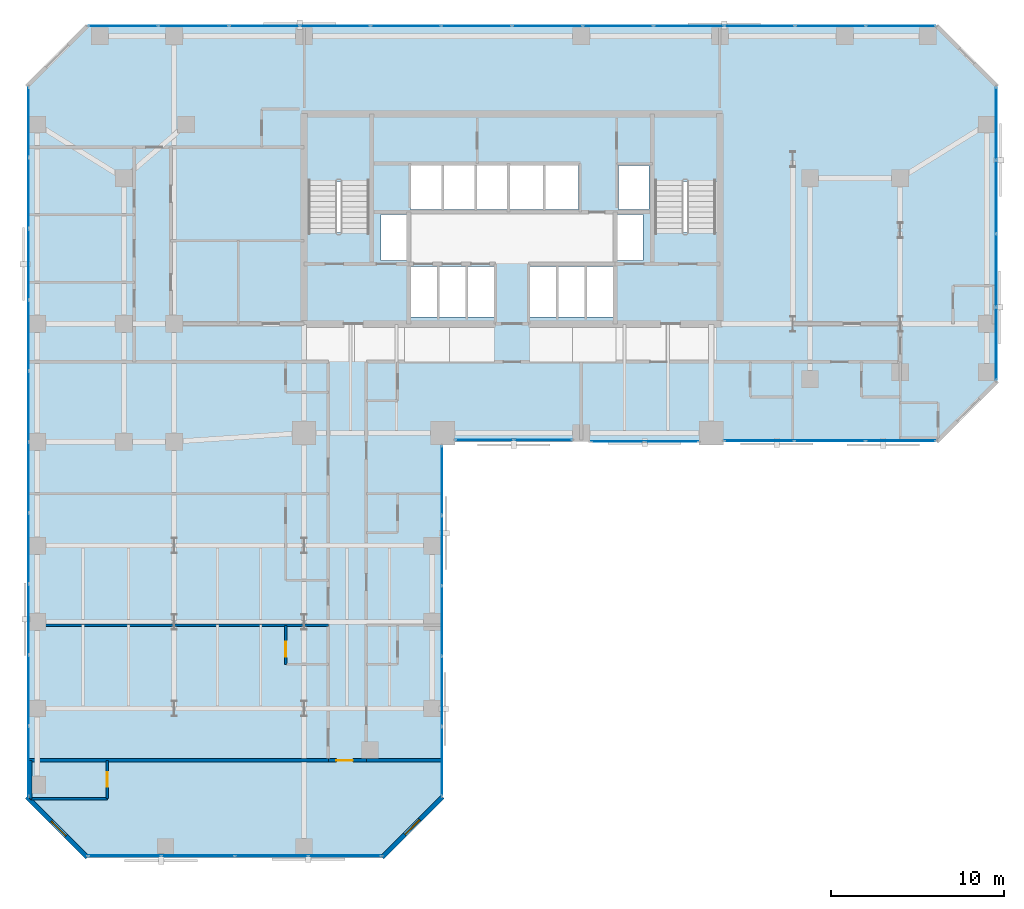
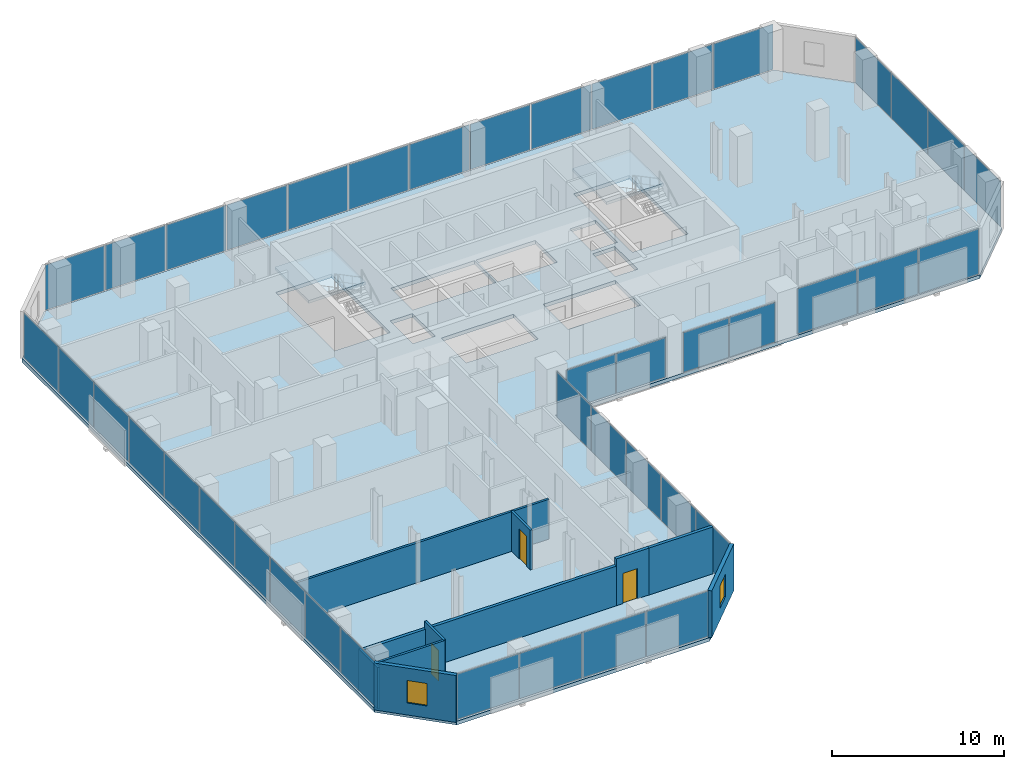
# One storey, part 26 of 31: 42 plates, 10 walls, 3 doors, 3 slabs, 2 windows, 5 openings, 10 elements without a shape of their own.
"""IFC4 building model written with IfcOpenShell, lengths in metres."""

import ifcopenshell
import ifcopenshell.guid

model = None  # the IFC model being written
_history = None  # IfcOwnerHistory: only IFC2X3 demands one
_inside = {}  # id of a spatial element -> (the spatial element, [elements in it])
_under = {}  # id of a project, library or spatial element -> (it, [spatial elements below it])
_declared = {}  # id of a project -> (the project, [libraries it declares])
_typed = {}  # id of a type object -> (the type object, [elements of that type])
_made_of = {}  # id of a material, layer set ... -> (it, [elements and type objects made of it])


def new_model(schema):
    """Start an empty IFC model of exactly this schema.

    Asked for "IFC4X3", IfcOpenShell would pick the latest addendum, in which some entities
    have other attributes; the version numbers below select the first issue.
    IFC2X3 requires an IfcOwnerHistory on every rooted entity: one is made here for all.
    """
    global model, _history
    if schema == "IFC4X3":
        model = ifcopenshell.file(schema_version=(4, 3, 0, 0))
    else:
        model = ifcopenshell.file(schema=schema)
    _inside.clear()
    _under.clear()
    _declared.clear()
    _typed.clear()
    _made_of.clear()
    _history = None
    if model.schema == "IFC2X3":
        org = make("IfcOrganization", Name="unknown")
        user = make(
            "IfcPersonAndOrganization",
            ThePerson=make("IfcPerson", FamilyName="unknown"),
            TheOrganization=org,
        )
        app = make(
            "IfcApplication",
            ApplicationDeveloper=org,
            Version="unknown",
            ApplicationFullName="unknown",
            ApplicationIdentifier="unknown",
        )
        _history = make(
            "IfcOwnerHistory",
            OwningUser=user,
            OwningApplication=app,
            ChangeAction="ADDED",
            CreationDate=0,
        )
    return model


def make(cls, **values):
    """One entity of the class cls with the attributes given. An attribute that is None is left unset."""
    return model.create_entity(
        cls, **{name: value for name, value in values.items() if value is not None}
    )


def rooted(cls, **values):
    """An entity with a GlobalId (a new one), such as an element, a storey or a relation."""
    return make(cls, GlobalId=ifcopenshell.guid.new(), OwnerHistory=_history, **values)


def si_unit(unit_type, name, prefix=None):
    """IfcSIUnit, for example si_unit("LENGTHUNIT", "METRE", prefix="MILLI")."""
    return make("IfcSIUnit", UnitType=unit_type, Prefix=prefix, Name=name)


def assignment(units):
    """IfcUnitAssignment: the units of a project."""
    return None if units is None else make("IfcUnitAssignment", Units=units)


def point(xyz):
    """IfcCartesianPoint."""
    return None if xyz is None else make("IfcCartesianPoint", Coordinates=xyz)


def direction(xyz):
    """IfcDirection."""
    return None if xyz is None else make("IfcDirection", DirectionRatios=xyz)


def frame(location, z_axis=None, x_axis=None):
    """IfcAxis2Placement3D, a coordinate frame: its origin and axes. An axis left out is left unset."""
    return make(
        "IfcAxis2Placement3D",
        Location=point(location),
        Axis=direction(z_axis),
        RefDirection=direction(x_axis),
    )


def frame_2d(location, x_axis=None):
    """IfcAxis2Placement2D, a coordinate frame in the plane: its origin and x axis."""
    return make(
        "IfcAxis2Placement2D", Location=point(location), RefDirection=direction(x_axis)
    )


def origin():
    """The frame at (0, 0, 0) with its axes left unset."""
    return frame((0.0, 0.0, 0.0))


def origin_2d():
    """The frame at (0, 0) in the plane with its x axis left unset."""
    return frame_2d((0.0, 0.0))


def place(relative_to, where):
    """IfcLocalPlacement: puts the frame where relative to a parent placement (None: the world)."""
    return make(
        "IfcLocalPlacement", PlacementRelTo=relative_to, RelativePlacement=where
    )


def context(
    kind, dimensions, precision=None, world=None, true_north=None, identifier=None
):
    """IfcGeometricRepresentationContext, for example the 3D "Model" context."""
    return make(
        "IfcGeometricRepresentationContext",
        ContextIdentifier=identifier,
        ContextType=kind,
        CoordinateSpaceDimension=dimensions,
        Precision=precision,
        WorldCoordinateSystem=world,
        TrueNorth=true_north,
    )


def subcontext(parent, identifier, kind, view, scale=None):
    """IfcGeometricRepresentationSubContext, for example "Body" below "Model"."""
    return make(
        "IfcGeometricRepresentationSubContext",
        ContextIdentifier=identifier,
        ContextType=kind,
        ParentContext=parent,
        TargetScale=scale,
        TargetView=view,
    )


def project(units=None, contexts=None):
    """IfcProject with its units and contexts."""
    return rooted(
        "IfcProject",
        Name="project",
        RepresentationContexts=contexts,
        UnitsInContext=assignment(units),
    )


def spatial(cls, under=None, at=None, **own):
    """A site, building, storey or space (cls), placed at a placement, below another one or the project."""
    s = rooted(cls, ObjectPlacement=at, **own)
    if under is not None:
        _under.setdefault(under.id(), (under, []))[1].append(s)
    return s


def polyline(points):
    """IfcPolyline through the points."""
    return make("IfcPolyline", Points=[point(p) for p in points])


def profile(cls, at=None, kind="AREA", **sizes):
    """A parametric profile (cls). Its sizes go by their IFC names, for example OverallWidth=200.0."""
    return make(cls, ProfileType=kind, Position=at, **sizes)


def rectangle(**sizes):
    """IfcRectangleProfileDef."""
    return profile("IfcRectangleProfileDef", **sizes)


def outline(outer, holes=None, kind="AREA"):
    """IfcArbitraryClosedProfileDef: a profile drawn as a closed curve; with holes, ...WithVoids."""
    if holes is None:
        return make("IfcArbitraryClosedProfileDef", ProfileType=kind, OuterCurve=outer)
    return make(
        "IfcArbitraryProfileDefWithVoids",
        ProfileType=kind,
        OuterCurve=outer,
        InnerCurves=holes,
    )


def extrude(swept, where, along, depth):
    """IfcExtrudedAreaSolid: the profile swept, set in the frame where, extruded along a direction by depth."""
    return make(
        "IfcExtrudedAreaSolid",
        SweptArea=swept,
        Position=where,
        ExtrudedDirection=direction(along),
        Depth=depth,
    )


def shape(context_of_items, identifier, shape_type, items):
    """IfcShapeRepresentation: the items that make up one representation, for example the "Body"."""
    return make(
        "IfcShapeRepresentation",
        ContextOfItems=context_of_items,
        RepresentationIdentifier=identifier,
        RepresentationType=shape_type,
        Items=items,
    )


def material(Name=None, Category=None):
    """IfcMaterial."""
    return make("IfcMaterial", Name=Name, Category=Category)


def layer(
    of_material, thickness, ventilated=None, Name=None, Category=None, Priority=None
):
    """IfcMaterialLayer: one layer of a wall or slab, of a material (None: an air gap)."""
    return make(
        "IfcMaterialLayer",
        Material=of_material,
        LayerThickness=thickness,
        IsVentilated=ventilated,
        Name=Name,
        Category=Category,
        Priority=Priority,
    )


def layer_set(layers, Name=None):
    """IfcMaterialLayerSet."""
    return make("IfcMaterialLayerSet", MaterialLayers=layers, LayerSetName=Name)


def made_of(thing, what):
    """Note that an element or type object is made of a material, layer set ...; save() writes the relation."""
    if what is not None:
        _made_of.setdefault(what.id(), (what, []))[1].append(thing)
    return thing


def type_object(cls, material=None, **own):
    """A type object (cls), such as IfcWallType, which elements share."""
    return made_of(rooted(cls, **own), material)


def element(
    cls,
    number,
    at=None,
    inside=None,
    cuts=None,
    type_object=None,
    material=None,
    context=None,
    identifier="Body",
    shape_type=None,
    held_by="IfcProductDefinitionShape",
    body=None,
    shapes=None,
    **own,
):
    """One element of the class cls, such as IfcWall. Its Tag is "e" and its number.

    at: its placement. inside: the storey or other place that contains it. cuts: it is an
    opening in that element (IfcRelVoidsElement). A single representation is given by context,
    identifier, shape_type and body (its items); several are given by shapes. held_by: the class
    of the entity that holds the representations. save() writes the other relations.
    """
    e = rooted(cls, Tag="e%d" % number, ObjectPlacement=at, **own)
    if body is not None:
        shapes = [shape(context, identifier, shape_type, body)]
    if shapes is not None:
        e.Representation = make(held_by, Representations=shapes)
    if inside is not None:
        _inside.setdefault(inside.id(), (inside, []))[1].append(e)
    if cuts is not None:
        rooted(
            "IfcRelVoidsElement", RelatingBuildingElement=cuts, RelatedOpeningElement=e
        )
    if type_object is not None:
        _typed.setdefault(type_object.id(), (type_object, []))[1].append(e)
    return made_of(e, material)


def fill(opening, filler):
    """IfcRelFillsElement: the door or window that sits in an opening."""
    return rooted(
        "IfcRelFillsElement",
        RelatingOpeningElement=opening,
        RelatedBuildingElement=filler,
    )


def aggregate(whole, parts):
    """IfcRelAggregates: a whole, such as a stair, and the parts it consists of."""
    return rooted("IfcRelAggregates", RelatingObject=whole, RelatedObjects=parts)


def save(model, path):
    """Write the relations noted so far, then the file.

    IfcRelAggregates (storeys below a building ...), IfcRelContainedInSpatialStructure (elements
    in a storey), IfcRelDefinesByType, IfcRelAssociatesMaterial and IfcRelDeclares: one each for
    every whole, place, type object, material and project.
    """
    for whole, parts in _under.values():
        aggregate(whole, parts)
    for where, things in _inside.values():
        rooted(
            "IfcRelContainedInSpatialStructure",
            RelatedElements=things,
            RelatingStructure=where,
        )
    for kind, things in _typed.values():
        rooted("IfcRelDefinesByType", RelatedObjects=things, RelatingType=kind)
    for what, things in _made_of.values():
        rooted("IfcRelAssociatesMaterial", RelatedObjects=things, RelatingMaterial=what)
    for by, libraries in _declared.values():
        rooted("IfcRelDeclares", RelatingContext=by, RelatedDefinitions=libraries)
    model.write(path)


model = new_model("IFC4")

# Units and contexts
model_context = context("Model", 3, precision=1e-05, world=origin(), true_north=direction((0.0, 1.0)))
body_context = subcontext(model_context, "Body", "Model", "MODEL_VIEW")
ifc_project = project(units=[si_unit("LENGTHUNIT", "METRE"), si_unit("AREAUNIT", "SQUARE_METRE"), si_unit("VOLUMEUNIT", "CUBIC_METRE"), si_unit("PLANEANGLEUNIT", "RADIAN"), si_unit("MASSUNIT", "GRAM", prefix="KILO")], contexts=[model_context])

# Site, building, storey
site_placement = place(None, origin())
site = spatial("IfcSite", under=ifc_project, at=site_placement, CompositionType="ELEMENT")
building_placement = place(site_placement, origin())
building = spatial("IfcBuilding", under=site, at=building_placement, Name="Catumbela Crestline Tower", CompositionType="ELEMENT")
storey_placement = place(building_placement, frame((0.0, 0.0, 40.2)))
storey = spatial("IfcBuildingStorey", under=building, at=storey_placement, Name="L09", CompositionType="ELEMENT", Elevation=40.2)

# Curtain wall, plates
ifc_material_1 = material(Name="Aluminium alloy AW-6060-T66", Category="aluminium")
ifc_layer_1 = layer(ifc_material_1, 0.18, Name="Aluminium alloy AW-6060-T66")
ifc_layer_set_1 = layer_set([ifc_layer_1], Name="Aluminium alloy AW-6060-T66")
curtain_wall_type = type_object("IfcCurtainWallType", Name="CWU-Z1", PredefinedType="USERDEFINED", material=ifc_layer_set_1)
curtain_wall_1_placement = place(storey_placement, origin())
curtain_wall_1 = element("IfcCurtainWall", 1, at=curtain_wall_1_placement, inside=storey, type_object=curtain_wall_type, Name="L09 Unitised Curtain Wall CW-L09-E0S1", ObjectType="UNITISED", PredefinedType="USERDEFINED")
ifc_material_2 = material(Name="Low-E laminated solar-control double glazing", Category="glass")
ifc_layer_2 = layer(ifc_material_2, 0.034, Name="Low-E laminated solar-control double glazing")
ifc_layer_set_2 = layer_set([ifc_layer_2], Name="Low-E laminated solar-control double glazing")
plate_type = type_object("IfcPlateType", Name="PNL-GLZ-Z1", PredefinedType="CURTAIN_PANEL", material=ifc_layer_set_2)
plate_1_placement = place(storey_placement, frame((5.6412, 0.1, 0.06), z_axis=(0.0, 0.0, 1.0), x_axis=(1.0, 0.0, 0.0)))
plate_1 = element("IfcPlate", 2, at=plate_1_placement, type_object=plate_type, Name="CWU-Z1 panel 1.1", PredefinedType="CURTAIN_PANEL", context=body_context, shape_type="SweptSolid", body=[
    extrude(rectangle(XDim=4.1525, YDim=0.034, at=origin_2d()), origin(), (0.0, 0.0, 1.0), 3.21),
])
plate_2_placement = place(storey_placement, frame((9.875, 0.1, 0.06), z_axis=(0.0, 0.0, 1.0), x_axis=(1.0, 0.0, 0.0)))
plate_2 = element("IfcPlate", 3, at=plate_2_placement, type_object=plate_type, Name="CWU-Z1 panel 2.1", PredefinedType="CURTAIN_PANEL", context=body_context, shape_type="SweptSolid", body=[
    extrude(rectangle(XDim=4.185, YDim=0.034, at=origin_2d()), origin(), (0.0, 0.0, 1.0), 3.21),
])
plate_3_placement = place(storey_placement, frame((14.125, 0.1, 0.06), z_axis=(0.0, 0.0, 1.0), x_axis=(1.0, 0.0, 0.0)))
plate_3 = element("IfcPlate", 4, at=plate_3_placement, type_object=plate_type, Name="CWU-Z1 panel 3.1", PredefinedType="CURTAIN_PANEL", context=body_context, shape_type="SweptSolid", body=[
    extrude(rectangle(XDim=4.185, YDim=0.034, at=origin_2d()), origin(), (0.0, 0.0, 1.0), 3.21),
])
plate_4_placement = place(storey_placement, frame((18.3588, 0.1, 0.06), z_axis=(0.0, 0.0, 1.0), x_axis=(1.0, 0.0, 0.0)))
plate_4 = element("IfcPlate", 5, at=plate_4_placement, type_object=plate_type, Name="CWU-Z1 panel 4.1", PredefinedType="CURTAIN_PANEL", context=body_context, shape_type="SweptSolid", body=[
    extrude(rectangle(XDim=4.1525, YDim=0.034, at=origin_2d()), origin(), (0.0, 0.0, 1.0), 3.21),
])
aggregate(curtain_wall_1, [plate_1, plate_2, plate_3, plate_4])

curtain_wall_2_placement = place(storey_placement, origin())
curtain_wall_2 = element("IfcCurtainWall", 6, at=curtain_wall_2_placement, inside=storey, type_object=curtain_wall_type, Name="L09 Unitised Curtain Wall CW-L09-E2S1", ObjectType="UNITISED", PredefinedType="USERDEFINED")
plate_5_placement = place(storey_placement, frame((23.95, 5.5462, 0.06), z_axis=(0.0, 0.0, 1.0), x_axis=(0.0, 1.0, 0.0)))
plate_5 = element("IfcPlate", 7, at=plate_5_placement, type_object=plate_type, Name="CWU-Z1 panel 1.1", PredefinedType="CURTAIN_PANEL", context=body_context, shape_type="SweptSolid", body=[
    extrude(rectangle(XDim=3.9625, YDim=0.034, at=origin_2d()), origin(), (0.0, 0.0, 1.0), 3.21),
])
plate_6_placement = place(storey_placement, frame((23.95, 9.59, 0.06), z_axis=(0.0, 0.0, 1.0), x_axis=(0.0, 1.0, 0.0)))
plate_6 = element("IfcPlate", 8, at=plate_6_placement, type_object=plate_type, Name="CWU-Z1 panel 2.1", PredefinedType="CURTAIN_PANEL", context=body_context, shape_type="SweptSolid", body=[
    extrude(rectangle(XDim=3.995, YDim=0.034, at=origin_2d()), origin(), (0.0, 0.0, 1.0), 3.21),
])
plate_7_placement = place(storey_placement, frame((23.95, 13.65, 0.06), z_axis=(0.0, 0.0, 1.0), x_axis=(0.0, 1.0, 0.0)))
plate_7 = element("IfcPlate", 9, at=plate_7_placement, type_object=plate_type, Name="CWU-Z1 panel 3.1", PredefinedType="CURTAIN_PANEL", context=body_context, shape_type="SweptSolid", body=[
    extrude(rectangle(XDim=3.995, YDim=0.034, at=origin_2d()), origin(), (0.0, 0.0, 1.0), 3.21),
])
plate_8_placement = place(storey_placement, frame((23.95, 17.71, 0.06), z_axis=(0.0, 0.0, 1.0), x_axis=(0.0, 1.0, 0.0)))
plate_8 = element("IfcPlate", 10, at=plate_8_placement, type_object=plate_type, Name="CWU-Z1 panel 4.1", PredefinedType="CURTAIN_PANEL", context=body_context, shape_type="SweptSolid", body=[
    extrude(rectangle(XDim=3.995, YDim=0.034, at=origin_2d()), origin(), (0.0, 0.0, 1.0), 3.21),
])
plate_9_placement = place(storey_placement, frame((23.95, 21.7538, 0.06), z_axis=(0.0, 0.0, 1.0), x_axis=(0.0, 1.0, 0.0)))
plate_9 = element("IfcPlate", 11, at=plate_9_placement, type_object=plate_type, Name="CWU-Z1 panel 5.1", PredefinedType="CURTAIN_PANEL", context=body_context, shape_type="SweptSolid", body=[
    extrude(rectangle(XDim=3.9625, YDim=0.034, at=origin_2d()), origin(), (0.0, 0.0, 1.0), 3.21),
])
aggregate(curtain_wall_2, [plate_5, plate_6, plate_7, plate_8, plate_9])

curtain_wall_3_placement = place(storey_placement, origin())
curtain_wall_3 = element("IfcCurtainWall", 12, at=curtain_wall_3_placement, inside=storey, type_object=curtain_wall_type, Name="L09 Unitised Curtain Wall CW-L09-E3S1", ObjectType="UNITISED", PredefinedType="USERDEFINED")
plate_10_placement = place(storey_placement, frame((26.4162, 24.1, 0.06), z_axis=(0.0, 0.0, 1.0), x_axis=(1.0, 0.0, 0.0)))
plate_10 = element("IfcPlate", 13, at=plate_10_placement, type_object=plate_type, Name="CWU-Z1 panel 1.1", PredefinedType="CURTAIN_PANEL", context=body_context, shape_type="SweptSolid", body=[
    extrude(rectangle(XDim=3.3025, YDim=0.034, at=origin_2d()), origin(), (0.0, 0.0, 1.0), 2.81),
])
plate_11_placement = place(storey_placement, frame((29.7838, 24.1, 0.06), z_axis=(0.0, 0.0, 1.0), x_axis=(1.0, 0.0, 0.0)))
plate_11 = element("IfcPlate", 14, at=plate_11_placement, type_object=plate_type, Name="CWU-Z1 panel 2.1", PredefinedType="CURTAIN_PANEL", context=body_context, shape_type="SweptSolid", body=[
    extrude(rectangle(XDim=3.3025, YDim=0.034, at=origin_2d()), origin(), (0.0, 0.0, 1.0), 2.81),
])
aggregate(curtain_wall_3, [plate_10, plate_11])

curtain_wall_4_placement = place(storey_placement, origin())
curtain_wall_4 = element("IfcCurtainWall", 15, at=curtain_wall_4_placement, inside=storey, type_object=curtain_wall_type, Name="L09 Unitised Curtain Wall CW-L09-E3S2", ObjectType="UNITISED", PredefinedType="USERDEFINED")
plate_12_placement = place(storey_placement, frame((34.0912, 24.0, 0.06), z_axis=(0.0, 0.0, 1.0), x_axis=(1.0, 0.0, 0.0)))
plate_12 = element("IfcPlate", 16, at=plate_12_placement, type_object=plate_type, Name="CWU-Z1 panel 1.1", PredefinedType="CURTAIN_PANEL", context=body_context, shape_type="SweptSolid", body=[
    extrude(rectangle(XDim=3.0525, YDim=0.034, at=origin_2d()), origin(), (0.0, 0.0, 1.0), 2.81),
])
plate_13_placement = place(storey_placement, frame((37.2088, 24.0, 0.06), z_axis=(0.0, 0.0, 1.0), x_axis=(1.0, 0.0, 0.0)))
plate_13 = element("IfcPlate", 17, at=plate_13_placement, type_object=plate_type, Name="CWU-Z1 panel 2.1", PredefinedType="CURTAIN_PANEL", context=body_context, shape_type="SweptSolid", body=[
    extrude(rectangle(XDim=3.0525, YDim=0.034, at=origin_2d()), origin(), (0.0, 0.0, 1.0), 2.81),
])
aggregate(curtain_wall_4, [plate_12, plate_13])

curtain_wall_5_placement = place(storey_placement, origin())
curtain_wall_5 = element("IfcCurtainWall", 18, at=curtain_wall_5_placement, inside=storey, type_object=curtain_wall_type, Name="L09 Unitised Curtain Wall CW-L09-E3S3", ObjectType="UNITISED", PredefinedType="USERDEFINED")
plate_14_placement = place(storey_placement, frame((42.2662, 24.05, 0.06), z_axis=(0.0, 0.0, 1.0), x_axis=(1.0, 0.0, 0.0)))
plate_14 = element("IfcPlate", 19, at=plate_14_placement, type_object=plate_type, Name="CWU-Z1 panel 1.1", PredefinedType="CURTAIN_PANEL", context=body_context, shape_type="SweptSolid", body=[
    extrude(rectangle(XDim=4.0025, YDim=0.034, at=origin_2d()), origin(), (0.0, 0.0, 1.0), 3.21),
])
plate_15_placement = place(storey_placement, frame((46.35, 24.05, 0.06), z_axis=(0.0, 0.0, 1.0), x_axis=(1.0, 0.0, 0.0)))
plate_15 = element("IfcPlate", 20, at=plate_15_placement, type_object=plate_type, Name="CWU-Z1 panel 2.1", PredefinedType="CURTAIN_PANEL", context=body_context, shape_type="SweptSolid", body=[
    extrude(rectangle(XDim=4.035, YDim=0.034, at=origin_2d()), origin(), (0.0, 0.0, 1.0), 3.21),
])
plate_16_placement = place(storey_placement, frame((50.4338, 24.05, 0.06), z_axis=(0.0, 0.0, 1.0), x_axis=(1.0, 0.0, 0.0)))
plate_16 = element("IfcPlate", 21, at=plate_16_placement, type_object=plate_type, Name="CWU-Z1 panel 3.1", PredefinedType="CURTAIN_PANEL", context=body_context, shape_type="SweptSolid", body=[
    extrude(rectangle(XDim=4.0025, YDim=0.034, at=origin_2d()), origin(), (0.0, 0.0, 1.0), 3.21),
])
aggregate(curtain_wall_5, [plate_14, plate_15, plate_16])

curtain_wall_6_placement = place(storey_placement, origin())
curtain_wall_6 = element("IfcCurtainWall", 22, at=curtain_wall_6_placement, inside=storey, type_object=curtain_wall_type, Name="L09 Unitised Curtain Wall CW-L09-E5S1", ObjectType="UNITISED", PredefinedType="USERDEFINED")
plate_17_placement = place(storey_placement, frame((55.95, 29.6412, 0.06), z_axis=(0.0, 0.0, 1.0), x_axis=(0.0, 1.0, 0.0)))
plate_17 = element("IfcPlate", 23, at=plate_17_placement, type_object=plate_type, Name="CWU-Z1 panel 1.1", PredefinedType="CURTAIN_PANEL", context=body_context, shape_type="SweptSolid", body=[
    extrude(rectangle(XDim=4.1525, YDim=0.034, at=origin_2d()), origin(), (0.0, 0.0, 1.0), 3.21),
])
plate_18_placement = place(storey_placement, frame((55.95, 33.875, 0.06), z_axis=(0.0, 0.0, 1.0), x_axis=(0.0, 1.0, 0.0)))
plate_18 = element("IfcPlate", 24, at=plate_18_placement, type_object=plate_type, Name="CWU-Z1 panel 2.1", PredefinedType="CURTAIN_PANEL", context=body_context, shape_type="SweptSolid", body=[
    extrude(rectangle(XDim=4.185, YDim=0.034, at=origin_2d()), origin(), (0.0, 0.0, 1.0), 3.21),
])
plate_19_placement = place(storey_placement, frame((55.95, 38.125, 0.06), z_axis=(0.0, 0.0, 1.0), x_axis=(0.0, 1.0, 0.0)))
plate_19 = element("IfcPlate", 25, at=plate_19_placement, type_object=plate_type, Name="CWU-Z1 panel 3.1", PredefinedType="CURTAIN_PANEL", context=body_context, shape_type="SweptSolid", body=[
    extrude(rectangle(XDim=4.185, YDim=0.034, at=origin_2d()), origin(), (0.0, 0.0, 1.0), 3.21),
])
plate_20_placement = place(storey_placement, frame((55.95, 42.3588, 0.06), z_axis=(0.0, 0.0, 1.0), x_axis=(0.0, 1.0, 0.0)))
plate_20 = element("IfcPlate", 26, at=plate_20_placement, type_object=plate_type, Name="CWU-Z1 panel 4.1", PredefinedType="CURTAIN_PANEL", context=body_context, shape_type="SweptSolid", body=[
    extrude(rectangle(XDim=4.1525, YDim=0.034, at=origin_2d()), origin(), (0.0, 0.0, 1.0), 3.21),
])
aggregate(curtain_wall_6, [plate_17, plate_18, plate_19, plate_20])

curtain_wall_7_placement = place(storey_placement, origin())
curtain_wall_7 = element("IfcCurtainWall", 27, at=curtain_wall_7_placement, inside=storey, type_object=curtain_wall_type, Name="L09 Unitised Curtain Wall CW-L09-E7S1", ObjectType="UNITISED", PredefinedType="USERDEFINED")
plate_21_placement = place(storey_placement, frame((50.4421, 48.0, 0.06), z_axis=(0.0, 0.0, 1.0), x_axis=(-1.0, 0.0, 0.0)))
plate_21 = element("IfcPlate", 28, at=plate_21_placement, type_object=plate_type, Name="CWU-Z1 panel 1.1", PredefinedType="CURTAIN_PANEL", context=body_context, shape_type="SweptSolid", body=[
    extrude(rectangle(XDim=3.9858, YDim=0.034, at=origin_2d()), origin(), (0.0, 0.0, 1.0), 3.21),
])
plate_22_placement = place(storey_placement, frame((46.375, 48.0, 0.06), z_axis=(0.0, 0.0, 1.0), x_axis=(-1.0, 0.0, 0.0)))
plate_22 = element("IfcPlate", 29, at=plate_22_placement, type_object=plate_type, Name="CWU-Z1 panel 2.1", PredefinedType="CURTAIN_PANEL", context=body_context, shape_type="SweptSolid", body=[
    extrude(rectangle(XDim=4.0183, YDim=0.034, at=origin_2d()), origin(), (0.0, 0.0, 1.0), 3.21),
])
plate_23_placement = place(storey_placement, frame((42.2917, 48.0, 0.06), z_axis=(0.0, 0.0, 1.0), x_axis=(-1.0, 0.0, 0.0)))
plate_23 = element("IfcPlate", 30, at=plate_23_placement, type_object=plate_type, Name="CWU-Z1 panel 3.1", PredefinedType="CURTAIN_PANEL", context=body_context, shape_type="SweptSolid", body=[
    extrude(rectangle(XDim=4.0183, YDim=0.034, at=origin_2d()), origin(), (0.0, 0.0, 1.0), 3.21),
])
plate_24_placement = place(storey_placement, frame((38.2083, 48.0, 0.06), z_axis=(0.0, 0.0, 1.0), x_axis=(-1.0, 0.0, 0.0)))
plate_24 = element("IfcPlate", 31, at=plate_24_placement, type_object=plate_type, Name="CWU-Z1 panel 4.1", PredefinedType="CURTAIN_PANEL", context=body_context, shape_type="SweptSolid", body=[
    extrude(rectangle(XDim=4.0183, YDim=0.034, at=origin_2d()), origin(), (0.0, 0.0, 1.0), 3.21),
])
plate_25_placement = place(storey_placement, frame((34.125, 48.0, 0.06), z_axis=(0.0, 0.0, 1.0), x_axis=(-1.0, 0.0, 0.0)))
plate_25 = element("IfcPlate", 32, at=plate_25_placement, type_object=plate_type, Name="CWU-Z1 panel 5.1", PredefinedType="CURTAIN_PANEL", context=body_context, shape_type="SweptSolid", body=[
    extrude(rectangle(XDim=4.0183, YDim=0.034, at=origin_2d()), origin(), (0.0, 0.0, 1.0), 3.21),
])
plate_26_placement = place(storey_placement, frame((30.0417, 48.0, 0.06), z_axis=(0.0, 0.0, 1.0), x_axis=(-1.0, 0.0, 0.0)))
plate_26 = element("IfcPlate", 33, at=plate_26_placement, type_object=plate_type, Name="CWU-Z1 panel 6.1", PredefinedType="CURTAIN_PANEL", context=body_context, shape_type="SweptSolid", body=[
    extrude(rectangle(XDim=4.0183, YDim=0.034, at=origin_2d()), origin(), (0.0, 0.0, 1.0), 3.21),
])
plate_27_placement = place(storey_placement, frame((25.9583, 48.0, 0.06), z_axis=(0.0, 0.0, 1.0), x_axis=(-1.0, 0.0, 0.0)))
plate_27 = element("IfcPlate", 34, at=plate_27_placement, type_object=plate_type, Name="CWU-Z1 panel 7.1", PredefinedType="CURTAIN_PANEL", context=body_context, shape_type="SweptSolid", body=[
    extrude(rectangle(XDim=4.0183, YDim=0.034, at=origin_2d()), origin(), (0.0, 0.0, 1.0), 3.21),
])
plate_28_placement = place(storey_placement, frame((21.875, 48.0, 0.06), z_axis=(0.0, 0.0, 1.0), x_axis=(-1.0, 0.0, 0.0)))
plate_28 = element("IfcPlate", 35, at=plate_28_placement, type_object=plate_type, Name="CWU-Z1 panel 8.1", PredefinedType="CURTAIN_PANEL", context=body_context, shape_type="SweptSolid", body=[
    extrude(rectangle(XDim=4.0183, YDim=0.034, at=origin_2d()), origin(), (0.0, 0.0, 1.0), 3.21),
])
plate_29_placement = place(storey_placement, frame((17.7917, 48.0, 0.06), z_axis=(0.0, 0.0, 1.0), x_axis=(-1.0, 0.0, 0.0)))
plate_29 = element("IfcPlate", 36, at=plate_29_placement, type_object=plate_type, Name="CWU-Z1 panel 9.1", PredefinedType="CURTAIN_PANEL", context=body_context, shape_type="SweptSolid", body=[
    extrude(rectangle(XDim=4.0183, YDim=0.034, at=origin_2d()), origin(), (0.0, 0.0, 1.0), 3.21),
])
plate_30_placement = place(storey_placement, frame((13.7083, 48.0, 0.06), z_axis=(0.0, 0.0, 1.0), x_axis=(-1.0, 0.0, 0.0)))
plate_30 = element("IfcPlate", 37, at=plate_30_placement, type_object=plate_type, Name="CWU-Z1 panel 10.1", PredefinedType="CURTAIN_PANEL", context=body_context, shape_type="SweptSolid", body=[
    extrude(rectangle(XDim=4.0183, YDim=0.034, at=origin_2d()), origin(), (0.0, 0.0, 1.0), 3.21),
])
plate_31_placement = place(storey_placement, frame((9.625, 48.0, 0.06), z_axis=(0.0, 0.0, 1.0), x_axis=(-1.0, 0.0, 0.0)))
plate_31 = element("IfcPlate", 38, at=plate_31_placement, type_object=plate_type, Name="CWU-Z1 panel 11.1", PredefinedType="CURTAIN_PANEL", context=body_context, shape_type="SweptSolid", body=[
    extrude(rectangle(XDim=4.0183, YDim=0.034, at=origin_2d()), origin(), (0.0, 0.0, 1.0), 3.21),
])
plate_32_placement = place(storey_placement, frame((5.5579, 48.0, 0.06), z_axis=(0.0, 0.0, 1.0), x_axis=(-1.0, 0.0, 0.0)))
plate_32 = element("IfcPlate", 39, at=plate_32_placement, type_object=plate_type, Name="CWU-Z1 panel 12.1", PredefinedType="CURTAIN_PANEL", context=body_context, shape_type="SweptSolid", body=[
    extrude(rectangle(XDim=3.9858, YDim=0.034, at=origin_2d()), origin(), (0.0, 0.0, 1.0), 3.21),
])
aggregate(curtain_wall_7, [plate_21, plate_22, plate_23, plate_24, plate_25, plate_26, plate_27, plate_28, plate_29, plate_30, plate_31, plate_32])

curtain_wall_8_placement = place(storey_placement, origin())
curtain_wall_8 = element("IfcCurtainWall", 40, at=curtain_wall_8_placement, inside=storey, type_object=curtain_wall_type, Name="L09 Unitised Curtain Wall CW-L09-E9S1", ObjectType="UNITISED", PredefinedType="USERDEFINED")
plate_33_placement = place(storey_placement, frame((0.1, 42.4338, 0.06), z_axis=(0.0, 0.0, 1.0), x_axis=(0.0, -1.0, 0.0)))
plate_33 = element("IfcPlate", 41, at=plate_33_placement, type_object=plate_type, Name="CWU-Z1 panel 1.1", PredefinedType="CURTAIN_PANEL", context=body_context, shape_type="SweptSolid", body=[
    extrude(rectangle(XDim=4.0025, YDim=0.034, at=origin_2d()), origin(), (0.0, 0.0, 1.0), 3.21),
])
plate_34_placement = place(storey_placement, frame((0.1, 38.35, 0.06), z_axis=(0.0, 0.0, 1.0), x_axis=(0.0, -1.0, 0.0)))
plate_34 = element("IfcPlate", 42, at=plate_34_placement, type_object=plate_type, Name="CWU-Z1 panel 2.1", PredefinedType="CURTAIN_PANEL", context=body_context, shape_type="SweptSolid", body=[
    extrude(rectangle(XDim=4.035, YDim=0.034, at=origin_2d()), origin(), (0.0, 0.0, 1.0), 3.21),
])
plate_35_placement = place(storey_placement, frame((0.1, 34.25, 0.06), z_axis=(0.0, 0.0, 1.0), x_axis=(0.0, -1.0, 0.0)))
plate_35 = element("IfcPlate", 43, at=plate_35_placement, type_object=plate_type, Name="CWU-Z1 panel 3.1", PredefinedType="CURTAIN_PANEL", context=body_context, shape_type="SweptSolid", body=[
    extrude(rectangle(XDim=4.035, YDim=0.034, at=origin_2d()), origin(), (0.0, 0.0, 1.0), 3.21),
])
plate_36_placement = place(storey_placement, frame((0.1, 30.15, 0.06), z_axis=(0.0, 0.0, 1.0), x_axis=(0.0, -1.0, 0.0)))
plate_36 = element("IfcPlate", 44, at=plate_36_placement, type_object=plate_type, Name="CWU-Z1 panel 4.1", PredefinedType="CURTAIN_PANEL", context=body_context, shape_type="SweptSolid", body=[
    extrude(rectangle(XDim=4.035, YDim=0.034, at=origin_2d()), origin(), (0.0, 0.0, 1.0), 3.21),
])
plate_37_placement = place(storey_placement, frame((0.1, 26.05, 0.06), z_axis=(0.0, 0.0, 1.0), x_axis=(0.0, -1.0, 0.0)))
plate_37 = element("IfcPlate", 45, at=plate_37_placement, type_object=plate_type, Name="CWU-Z1 panel 5.1", PredefinedType="CURTAIN_PANEL", context=body_context, shape_type="SweptSolid", body=[
    extrude(rectangle(XDim=4.035, YDim=0.034, at=origin_2d()), origin(), (0.0, 0.0, 1.0), 3.21),
])
plate_38_placement = place(storey_placement, frame((0.1, 21.95, 0.06), z_axis=(0.0, 0.0, 1.0), x_axis=(0.0, -1.0, 0.0)))
plate_38 = element("IfcPlate", 46, at=plate_38_placement, type_object=plate_type, Name="CWU-Z1 panel 6.1", PredefinedType="CURTAIN_PANEL", context=body_context, shape_type="SweptSolid", body=[
    extrude(rectangle(XDim=4.035, YDim=0.034, at=origin_2d()), origin(), (0.0, 0.0, 1.0), 3.21),
])
plate_39_placement = place(storey_placement, frame((0.1, 17.85, 0.06), z_axis=(0.0, 0.0, 1.0), x_axis=(0.0, -1.0, 0.0)))
plate_39 = element("IfcPlate", 47, at=plate_39_placement, type_object=plate_type, Name="CWU-Z1 panel 7.1", PredefinedType="CURTAIN_PANEL", context=body_context, shape_type="SweptSolid", body=[
    extrude(rectangle(XDim=4.035, YDim=0.034, at=origin_2d()), origin(), (0.0, 0.0, 1.0), 3.21),
])
plate_40_placement = place(storey_placement, frame((0.1, 13.75, 0.06), z_axis=(0.0, 0.0, 1.0), x_axis=(0.0, -1.0, 0.0)))
plate_40 = element("IfcPlate", 48, at=plate_40_placement, type_object=plate_type, Name="CWU-Z1 panel 8.1", PredefinedType="CURTAIN_PANEL", context=body_context, shape_type="SweptSolid", body=[
    extrude(rectangle(XDim=4.035, YDim=0.034, at=origin_2d()), origin(), (0.0, 0.0, 1.0), 3.21),
])
plate_41_placement = place(storey_placement, frame((0.1, 9.65, 0.06), z_axis=(0.0, 0.0, 1.0), x_axis=(0.0, -1.0, 0.0)))
plate_41 = element("IfcPlate", 49, at=plate_41_placement, type_object=plate_type, Name="CWU-Z1 panel 9.1", PredefinedType="CURTAIN_PANEL", context=body_context, shape_type="SweptSolid", body=[
    extrude(rectangle(XDim=4.035, YDim=0.034, at=origin_2d()), origin(), (0.0, 0.0, 1.0), 3.21),
])
plate_42_placement = place(storey_placement, frame((0.1, 5.5662, 0.06), z_axis=(0.0, 0.0, 1.0), x_axis=(0.0, -1.0, 0.0)))
plate_42 = element("IfcPlate", 50, at=plate_42_placement, type_object=plate_type, Name="CWU-Z1 panel 10.1", PredefinedType="CURTAIN_PANEL", context=body_context, shape_type="SweptSolid", body=[
    extrude(rectangle(XDim=4.0025, YDim=0.034, at=origin_2d()), origin(), (0.0, 0.0, 1.0), 3.21),
])
aggregate(curtain_wall_8, [plate_33, plate_34, plate_35, plate_36, plate_37, plate_38, plate_39, plate_40, plate_41, plate_42])

# Stair, slab
ifc_material_3 = material(Name="Concrete C45/55", Category="concrete")
stair_type = type_object("IfcStairType", Name="ST-DLG", PredefinedType="HALF_TURN_STAIR", material=ifc_material_3)
stair_1_placement = place(storey_placement, origin())
stair_1 = element("IfcStair", 51, at=stair_1_placement, inside=storey, type_object=stair_type, Name="L09 West Core Pressurised Exit Stair ST-01", PredefinedType="HALF_TURN_STAIR")
ifc_layer_3 = layer(ifc_material_3, 0.2, Name="Concrete C45/55")
ifc_layer_set_3 = layer_set([ifc_layer_3], Name="Concrete C45/55")
slab_type_1 = type_object("IfcSlabType", Name="SL-LND", PredefinedType="LANDING", material=ifc_layer_set_3)
slab_1_placement = place(storey_placement, frame((0.0, 0.0, 1.6)))
slab_1 = element("IfcSlab", 52, at=slab_1_placement, type_object=slab_type_1, Name="ST-01 landing 1", PredefinedType="LANDING", context=body_context, shape_type="SweptSolid", body=[
    extrude(outline(polyline([(19.91, 39.02), (19.91, 42.96), (16.09, 42.96), (16.09, 39.02), (19.91, 39.02)])), origin(), (0.0, 0.0, 1.0), 0.2),
])
aggregate(stair_1, [slab_1])

stair_2_placement = place(storey_placement, origin())
stair_2 = element("IfcStair", 53, at=stair_2_placement, inside=storey, type_object=stair_type, Name="L09 East Core Pressurised Exit Stair ST-02", PredefinedType="HALF_TURN_STAIR")
slab_2_placement = place(storey_placement, frame((0.0, 0.0, 1.6)))
slab_2 = element("IfcSlab", 54, at=slab_2_placement, type_object=slab_type_1, Name="ST-02 landing 1", PredefinedType="LANDING", context=body_context, shape_type="SweptSolid", body=[
    extrude(outline(polyline([(39.91, 39.02), (39.91, 42.96), (36.09, 42.96), (36.09, 39.02), (39.91, 39.02)])), origin(), (0.0, 0.0, 1.0), 0.2),
])
aggregate(stair_2, [slab_2])

# Slab
ifc_layer_4 = layer(ifc_material_3, 0.26, Name="Concrete C45/55")
ifc_layer_set_4 = layer_set([ifc_layer_4], Name="Concrete C45/55")
slab_type_2 = type_object("IfcSlabType", Name="SL-260", PredefinedType="FLOOR", material=ifc_layer_set_4)
slab_3_placement = place(storey_placement, frame((0.0, 0.0, -0.26)))
element("IfcSlab", 55, at=slab_3_placement, inside=storey, type_object=slab_type_2, Name="L09 Structural Floor Slab", PredefinedType="FLOOR", context=body_context, shape_type="SweptSolid", body=[
    extrude(outline(polyline([(3.5, 0.0), (20.5, 0.0), (24.0, 3.5), (24.0, 24.0), (52.5, 24.0), (56.0, 27.5), (56.0, 44.5), (52.5, 48.0), (3.5, 48.0), (0.0, 44.5), (0.0, 3.5), (3.5, 0.0)]), holes=[polyline([(16.13, 36.08), (19.87, 36.08), (19.87, 42.92), (16.13, 42.92), (16.13, 36.08)]), polyline([(36.13, 36.08), (39.87, 36.08), (39.87, 42.92), (36.13, 42.92), (36.13, 36.08)]), polyline([(22.15, 31.2), (27.0, 31.2), (27.0, 34.1), (22.15, 34.1), (22.15, 31.2)]), polyline([(29.0, 31.2), (33.85, 31.2), (33.85, 34.1), (29.0, 34.1), (29.0, 31.2)]), polyline([(22.15, 37.4), (27.75, 37.4), (27.75, 39.95), (22.15, 39.95), (22.15, 37.4)]), polyline([(27.85, 37.4), (31.85, 37.4), (31.85, 39.95), (27.85, 39.95), (27.85, 37.4)]), polyline([(20.45, 34.45), (21.95, 34.45), (21.95, 37.1), (20.45, 37.1), (20.45, 34.45)]), polyline([(34.05, 34.45), (35.55, 34.45), (35.55, 37.1), (34.05, 37.1), (34.05, 34.45)]), polyline([(34.15, 37.4), (35.9, 37.4), (35.9, 39.95), (34.15, 39.95), (34.15, 37.4)])]), origin(), (0.0, 0.0, 1.0), 0.26),
])

# Wall, opening, door
ifc_material_4 = material(Name="Acoustic gypsum and mineral-wool partition")
ifc_layer_5 = layer(ifc_material_4, 0.2, Name="Acoustic gypsum and mineral-wool partition")
ifc_layer_set_5 = layer_set([ifc_layer_5], Name="Acoustic gypsum and mineral-wool partition")
wall_type_1 = type_object("IfcWallType", Name="WC-200", PredefinedType="PARTITIONING", material=ifc_layer_set_5)
wall_1_placement = place(storey_placement, frame((17.4, 5.6, 0.0), z_axis=(0.0, 0.0, 1.0), x_axis=(1.0, 0.0, 0.0)))
wall_1 = element("IfcWall", 56, at=wall_1_placement, inside=storey, type_object=wall_type_1, Name="L09 Interior Partition PW-L09-WTIP-ENT", PredefinedType="PARTITIONING", context=body_context, shape_type="SweptSolid", body=[
    extrude(rectangle(XDim=2.2, YDim=0.2, at=frame_2d((1.1, 0.0))), origin(), (0.0, 0.0, 1.0), 3.33),
])
opening_1_placement = place(wall_1_placement, frame((0.46, 0.0, 0.0)))
opening_1 = element("IfcOpeningElement", 57, at=opening_1_placement, cuts=wall_1, Name="Opening DF6-095", PredefinedType="OPENING", context=body_context, shape_type="SweptSolid", body=[
    extrude(rectangle(XDim=0.95, YDim=2.15, at=frame_2d((0.475, 1.075))), frame((0.0, 0.11, 0.0), z_axis=(0.0, -1.0, 0.0), x_axis=(1.0, 0.0, 0.0)), (0.0, 0.0, 1.0), 0.22),
])
door_type_1 = type_object("IfcDoorType", Name="DF6-095", OperationType="NOTDEFINED", PredefinedType="DOOR", material=ifc_material_1)
door_1_placement = place(opening_1_placement, origin())
door_1 = element("IfcDoor", 58, at=door_1_placement, inside=storey, type_object=door_type_1, Name="L09 Interior Door DR-L09-WTIP-ENT", OperationType="SINGLE_SWING_LEFT", OverallHeight=2.15, OverallWidth=0.95, PredefinedType="DOOR", context=body_context, shape_type="SweptSolid", body=[
    extrude(rectangle(XDim=0.95, YDim=2.15, at=frame_2d((0.475, 1.075))), frame((0.0, 0.025, 0.0), z_axis=(0.0, -1.0, 0.0), x_axis=(1.0, 0.0, 0.0)), (0.0, 0.0, 1.0), 0.05),
])
fill(opening_1, door_1)

# Wall, opening, window
ifc_material_5 = material(Name="Angolan grey-ochre granite", Category="masonry")
ifc_layer_6 = layer(ifc_material_5, 0.25, Name="Angolan grey-ochre granite")
ifc_layer_set_6 = layer_set([ifc_layer_6], Name="Angolan grey-ochre granite")
wall_type_2 = type_object("IfcWallType", Name="WE-250", PredefinedType="STANDARD", material=ifc_layer_set_6)
wall_2_placement = place(storey_placement, frame((20.5, 0.0, 0.0), z_axis=(0.0, 0.0, 1.0), x_axis=(0.707106781187, 0.707106781187, 0.0)))
wall_2 = element("IfcWall", 59, at=wall_2_placement, inside=storey, type_object=wall_type_2, Name="L09 Granite Punched Window Wall 1-1", PredefinedType="STANDARD", context=body_context, shape_type="SweptSolid", body=[
    extrude(rectangle(XDim=4.9497, YDim=0.25, at=frame_2d((2.4748, 0.0))), origin(), (0.0, 0.0, 1.0), 3.33),
])
opening_2_placement = place(wall_2_placement, frame((1.8748, 0.0, 0.85)))
opening_2 = element("IfcOpeningElement", 60, at=opening_2_placement, cuts=wall_2, Name="Opening WN-02", PredefinedType="OPENING", context=body_context, shape_type="SweptSolid", body=[
    extrude(rectangle(XDim=1.2, YDim=1.6, at=frame_2d((0.6, 0.8))), frame((0.0, 0.135, 0.0), z_axis=(0.0, -1.0, 0.0), x_axis=(1.0, 0.0, 0.0)), (0.0, 0.0, 1.0), 0.27),
])
window_type = type_object("IfcWindowType", Name="WO-1200", PartitioningType="SINGLE_PANEL", PredefinedType="WINDOW", material=ifc_material_2)
window_1_placement = place(opening_2_placement, origin())
window_1 = element("IfcWindow", 61, at=window_1_placement, inside=storey, type_object=window_type, Name="L09 Facade Vision Window 68", OverallHeight=1.6, OverallWidth=1.2, PartitioningType="SINGLE_PANEL", PredefinedType="WINDOW", context=body_context, shape_type="SweptSolid", body=[
    extrude(rectangle(XDim=1.2, YDim=1.6, at=frame_2d((0.6, 0.8))), frame((0.0, 0.03, 0.0), z_axis=(0.0, -1.0, 0.0), x_axis=(1.0, 0.0, 0.0)), (0.0, 0.0, 1.0), 0.06),
])
fill(opening_2, window_1)

wall_3_placement = place(storey_placement, frame((0.0, 3.5, 0.0), z_axis=(0.0, 0.0, 1.0), x_axis=(0.707106781187, -0.707106781187, 0.0)))
wall_3 = element("IfcWall", 62, at=wall_3_placement, inside=storey, type_object=wall_type_2, Name="L09 Granite Punched Window Wall 10-1", PredefinedType="STANDARD", context=body_context, shape_type="SweptSolid", body=[
    extrude(rectangle(XDim=4.9497, YDim=0.25, at=frame_2d((2.4748, 0.0))), origin(), (0.0, 0.0, 1.0), 3.33),
])
opening_3_placement = place(wall_3_placement, frame((1.9851, 0.0, 0.85)))
opening_3 = element("IfcOpeningElement", 63, at=opening_3_placement, cuts=wall_3, Name="Opening WN-02", PredefinedType="OPENING", context=body_context, shape_type="SweptSolid", body=[
    extrude(rectangle(XDim=1.2, YDim=1.6, at=frame_2d((0.6, 0.8))), frame((0.0, 0.135, 0.0), z_axis=(0.0, -1.0, 0.0), x_axis=(1.0, 0.0, 0.0)), (0.0, 0.0, 1.0), 0.27),
])
window_2_placement = place(opening_3_placement, origin())
window_2 = element("IfcWindow", 64, at=window_2_placement, inside=storey, type_object=window_type, Name="L09 Facade Vision Window 72", OverallHeight=1.6, OverallWidth=1.2, PartitioningType="SINGLE_PANEL", PredefinedType="WINDOW", context=body_context, shape_type="SweptSolid", body=[
    extrude(rectangle(XDim=1.2, YDim=1.6, at=frame_2d((0.6, 0.8))), frame((0.0, 0.03, 0.0), z_axis=(0.0, -1.0, 0.0), x_axis=(1.0, 0.0, 0.0)), (0.0, 0.0, 1.0), 0.06),
])
fill(opening_3, window_2)

# Wall
ifc_layer_7 = layer(ifc_material_4, 0.15, Name="Acoustic gypsum and mineral-wool partition")
ifc_layer_set_7 = layer_set([ifc_layer_7], Name="Acoustic gypsum and mineral-wool partition")
wall_type_3 = type_object("IfcWallType", Name="WP-150", PredefinedType="PARTITIONING", material=ifc_layer_set_7)
wall_4_placement = place(storey_placement, frame((0.2, 3.4, 0.0), z_axis=(0.0, 0.0, 1.0), x_axis=(1.0, 0.0, 0.0)))
element("IfcWall", 65, at=wall_4_placement, inside=storey, type_object=wall_type_3, Name="L09 Interior Partition PW-L09-WTIP-BHW", PredefinedType="PARTITIONING", context=body_context, shape_type="SweptSolid", body=[
    extrude(rectangle(XDim=4.45, YDim=0.15, at=frame_2d((2.225, 0.0))), origin(), (0.0, 0.0, 1.0), 3.33),
])

# Wall, opening, door
wall_5_placement = place(storey_placement, frame((4.65, 3.4, 0.0), z_axis=(0.0, 0.0, 1.0), x_axis=(0.0, 1.0, 0.0)))
wall_5 = element("IfcWall", 66, at=wall_5_placement, inside=storey, type_object=wall_type_3, Name="L09 Interior Partition PW-L09-WTIP-BEW", PredefinedType="PARTITIONING", context=body_context, shape_type="SweptSolid", body=[
    extrude(rectangle(XDim=2.2, YDim=0.15, at=frame_2d((1.1, 0.0))), origin(), (0.0, 0.0, 1.0), 3.33),
])
opening_4_placement = place(wall_5_placement, frame((0.675, 0.0, 0.0)))
opening_4 = element("IfcOpeningElement", 67, at=opening_4_placement, cuts=wall_5, Name="Opening DI-085", PredefinedType="OPENING", context=body_context, shape_type="SweptSolid", body=[
    extrude(rectangle(XDim=0.85, YDim=2.15, at=frame_2d((0.425, 1.075))), frame((0.0, 0.085, 0.0), z_axis=(0.0, -1.0, 0.0), x_axis=(1.0, 0.0, 0.0)), (0.0, 0.0, 1.0), 0.17),
])
door_type_2 = type_object("IfcDoorType", Name="DI-085", OperationType="NOTDEFINED", PredefinedType="DOOR", material=ifc_material_1)
door_2_placement = place(opening_4_placement, origin())
door_2 = element("IfcDoor", 68, at=door_2_placement, inside=storey, type_object=door_type_2, Name="L09 Interior Door DR-L09-WTIP-BTH", OperationType="SINGLE_SWING_LEFT", OverallHeight=2.15, OverallWidth=0.85, PredefinedType="DOOR", context=body_context, shape_type="SweptSolid", body=[
    extrude(rectangle(XDim=0.85, YDim=2.15, at=frame_2d((0.425, 1.075))), frame((0.0, 0.025, 0.0), z_axis=(0.0, -1.0, 0.0), x_axis=(1.0, 0.0, 0.0)), (0.0, 0.0, 1.0), 0.05),
])
fill(opening_4, door_2)

# Wall
wall_6_placement = place(storey_placement, frame((0.22, 3.38, 0.0), z_axis=(0.0, 0.0, 1.0), x_axis=(0.0, 1.0, 0.0)))
element("IfcWall", 69, at=wall_6_placement, inside=storey, type_object=wall_type_3, Name="L09 Interior Partition PW-L09-WTIP-BCL-3", PredefinedType="PARTITIONING", context=body_context, shape_type="SweptSolid", body=[
    extrude(rectangle(XDim=2.22, YDim=0.15, at=frame_2d((1.11, 0.0))), origin(), (0.0, 0.0, 1.0), 2.93),
])

# Wall, opening, door
wall_7_placement = place(storey_placement, frame((14.95, 11.15, 0.0), z_axis=(0.0, 0.0, 1.0), x_axis=(0.0, 1.0, 0.0)))
wall_7 = element("IfcWall", 70, at=wall_7_placement, inside=storey, type_object=wall_type_3, Name="L09 Interior Partition PW-L09-WL1-BWW", PredefinedType="PARTITIONING", context=body_context, shape_type="SweptSolid", body=[
    extrude(rectangle(XDim=2.25, YDim=0.15, at=frame_2d((1.125, 0.0))), origin(), (0.0, 0.0, 1.0), 2.82),
])
opening_5_placement = place(wall_7_placement, frame((0.4444, 0.0, 0.0)))
opening_5 = element("IfcOpeningElement", 71, at=opening_5_placement, cuts=wall_7, Name="Opening DI-085", PredefinedType="OPENING", context=body_context, shape_type="SweptSolid", body=[
    extrude(rectangle(XDim=0.85, YDim=2.15, at=frame_2d((0.425, 1.075))), frame((0.0, 0.085, 0.0), z_axis=(0.0, -1.0, 0.0), x_axis=(1.0, 0.0, 0.0)), (0.0, 0.0, 1.0), 0.17),
])
door_3_placement = place(opening_5_placement, origin())
door_3 = element("IfcDoor", 72, at=door_3_placement, inside=storey, type_object=door_type_2, Name="L09 Interior Door DR-L09-WL1-BTH", OperationType="SINGLE_SWING_RIGHT", OverallHeight=2.15, OverallWidth=0.85, PredefinedType="DOOR", context=body_context, shape_type="SweptSolid", body=[
    extrude(rectangle(XDim=0.85, YDim=2.15, at=frame_2d((0.425, 1.075))), frame((0.0, 0.025, 0.0), z_axis=(0.0, -1.0, 0.0), x_axis=(1.0, 0.0, 0.0)), (0.0, 0.0, 1.0), 0.05),
])
fill(opening_5, door_3)

# Walls
wall_8_placement = place(storey_placement, frame((0.1, 13.4, 0.0), z_axis=(0.0, 0.0, 1.0), x_axis=(1.0, 0.0, 0.0)))
element("IfcWall", 73, at=wall_8_placement, inside=storey, type_object=wall_type_3, Name="L09 Interior Partition PW-L09-WL1-BCL-1", PredefinedType="PARTITIONING", context=body_context, shape_type="SweptSolid", body=[
    extrude(rectangle(XDim=17.3, YDim=0.15, at=frame_2d((8.65, 0.0))), origin(), (0.0, 0.0, 1.0), 2.82),
])
ifc_layer_8 = layer(ifc_material_4, 0.2, Name="Acoustic gypsum and mineral-wool partition")
ifc_layer_set_8 = layer_set([ifc_layer_8], Name="Acoustic gypsum and mineral-wool partition")
wall_type_4 = type_object("IfcWallType", Name="WY-200", PredefinedType="PARTITIONING", material=ifc_layer_set_8)
wall_9_placement = place(storey_placement, frame((0.1, 5.6, 0.0), z_axis=(0.0, 0.0, 1.0), x_axis=(1.0, 0.0, 0.0)))
element("IfcWall", 74, at=wall_9_placement, inside=storey, type_object=wall_type_4, Name="L09 Interior Partition PW-L09-WTIP-WL", PredefinedType="PARTITIONING", context=body_context, shape_type="SweptSolid", body=[
    extrude(rectangle(XDim=17.3, YDim=0.2, at=frame_2d((8.65, 0.0))), origin(), (0.0, 0.0, 1.0), 2.82),
])
wall_10_placement = place(storey_placement, frame((19.6, 5.6, 0.0), z_axis=(0.0, 0.0, 1.0), x_axis=(1.0, 0.0, 0.0)))
element("IfcWall", 75, at=wall_10_placement, inside=storey, type_object=wall_type_4, Name="L09 Interior Partition PW-L09-WTIP-WR", PredefinedType="PARTITIONING", context=body_context, shape_type="SweptSolid", body=[
    extrude(rectangle(XDim=4.3, YDim=0.2, at=frame_2d((2.15, 0.0))), origin(), (0.0, 0.0, 1.0), 3.33),
])

save(model, "model.ifc")
